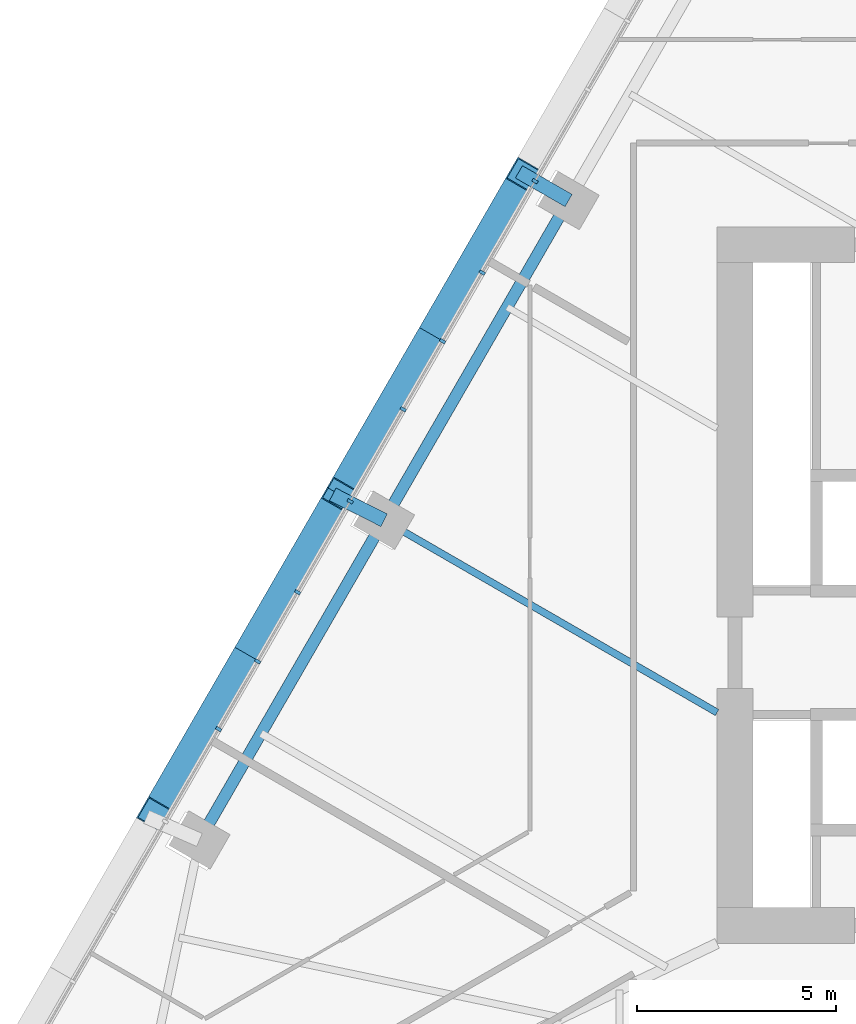
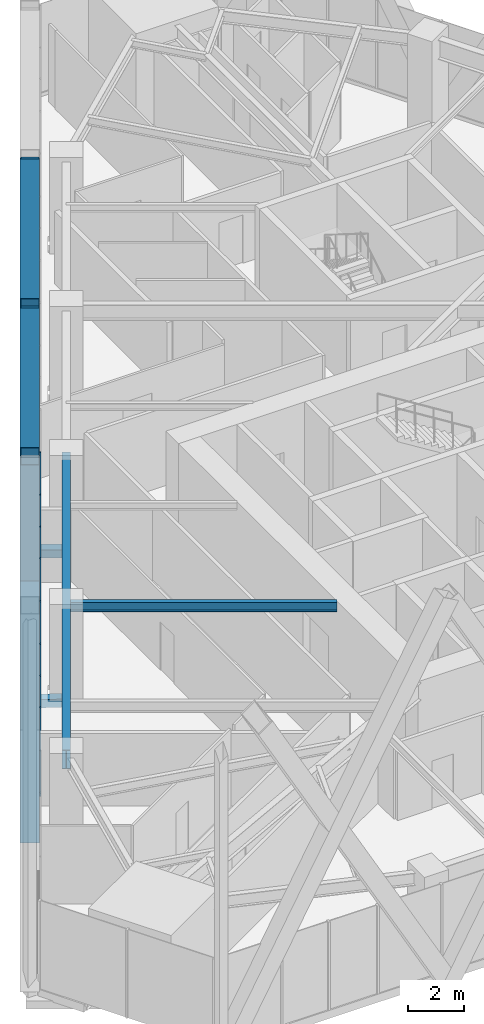
# One storey, part 4 of 19: 14 members, 2 beams, 1 element without a shape of its own.
"""IFC4 building model written with IfcOpenShell, lengths in metres."""

import ifcopenshell
import ifcopenshell.guid

model = None  # the IFC model being written
_history = None  # IfcOwnerHistory: only IFC2X3 demands one
_inside = {}  # id of a spatial element -> (the spatial element, [elements in it])
_under = {}  # id of a project, library or spatial element -> (it, [spatial elements below it])
_declared = {}  # id of a project -> (the project, [libraries it declares])
_typed = {}  # id of a type object -> (the type object, [elements of that type])
_made_of = {}  # id of a material, layer set ... -> (it, [elements and type objects made of it])


def new_model(schema):
    """Start an empty IFC model of exactly this schema.

    Asked for "IFC4X3", IfcOpenShell would pick the latest addendum, in which some entities
    have other attributes; the version numbers below select the first issue.
    IFC2X3 requires an IfcOwnerHistory on every rooted entity: one is made here for all.
    """
    global model, _history
    if schema == "IFC4X3":
        model = ifcopenshell.file(schema_version=(4, 3, 0, 0))
    else:
        model = ifcopenshell.file(schema=schema)
    _inside.clear()
    _under.clear()
    _declared.clear()
    _typed.clear()
    _made_of.clear()
    _history = None
    if model.schema == "IFC2X3":
        org = make("IfcOrganization", Name="unknown")
        user = make(
            "IfcPersonAndOrganization",
            ThePerson=make("IfcPerson", FamilyName="unknown"),
            TheOrganization=org,
        )
        app = make(
            "IfcApplication",
            ApplicationDeveloper=org,
            Version="unknown",
            ApplicationFullName="unknown",
            ApplicationIdentifier="unknown",
        )
        _history = make(
            "IfcOwnerHistory",
            OwningUser=user,
            OwningApplication=app,
            ChangeAction="ADDED",
            CreationDate=0,
        )
    return model


def make(cls, **values):
    """One entity of the class cls with the attributes given. An attribute that is None is left unset."""
    return model.create_entity(
        cls, **{name: value for name, value in values.items() if value is not None}
    )


def rooted(cls, **values):
    """An entity with a GlobalId (a new one), such as an element, a storey or a relation."""
    return make(cls, GlobalId=ifcopenshell.guid.new(), OwnerHistory=_history, **values)


def si_unit(unit_type, name, prefix=None):
    """IfcSIUnit, for example si_unit("LENGTHUNIT", "METRE", prefix="MILLI")."""
    return make("IfcSIUnit", UnitType=unit_type, Prefix=prefix, Name=name)


def assignment(units):
    """IfcUnitAssignment: the units of a project."""
    return None if units is None else make("IfcUnitAssignment", Units=units)


def point(xyz):
    """IfcCartesianPoint."""
    return None if xyz is None else make("IfcCartesianPoint", Coordinates=xyz)


def direction(xyz):
    """IfcDirection."""
    return None if xyz is None else make("IfcDirection", DirectionRatios=xyz)


def frame(location, z_axis=None, x_axis=None):
    """IfcAxis2Placement3D, a coordinate frame: its origin and axes. An axis left out is left unset."""
    return make(
        "IfcAxis2Placement3D",
        Location=point(location),
        Axis=direction(z_axis),
        RefDirection=direction(x_axis),
    )


def frame_2d(location, x_axis=None):
    """IfcAxis2Placement2D, a coordinate frame in the plane: its origin and x axis."""
    return make(
        "IfcAxis2Placement2D", Location=point(location), RefDirection=direction(x_axis)
    )


def origin():
    """The frame at (0, 0, 0) with its axes left unset."""
    return frame((0.0, 0.0, 0.0))


def origin_2d():
    """The frame at (0, 0) in the plane with its x axis left unset."""
    return frame_2d((0.0, 0.0))


def place(relative_to, where):
    """IfcLocalPlacement: puts the frame where relative to a parent placement (None: the world)."""
    return make(
        "IfcLocalPlacement", PlacementRelTo=relative_to, RelativePlacement=where
    )


def context(
    kind, dimensions, precision=None, world=None, true_north=None, identifier=None
):
    """IfcGeometricRepresentationContext, for example the 3D "Model" context."""
    return make(
        "IfcGeometricRepresentationContext",
        ContextIdentifier=identifier,
        ContextType=kind,
        CoordinateSpaceDimension=dimensions,
        Precision=precision,
        WorldCoordinateSystem=world,
        TrueNorth=true_north,
    )


def subcontext(parent, identifier, kind, view, scale=None):
    """IfcGeometricRepresentationSubContext, for example "Body" below "Model"."""
    return make(
        "IfcGeometricRepresentationSubContext",
        ContextIdentifier=identifier,
        ContextType=kind,
        ParentContext=parent,
        TargetScale=scale,
        TargetView=view,
    )


def project(units=None, contexts=None):
    """IfcProject with its units and contexts."""
    return rooted(
        "IfcProject",
        Name="project",
        RepresentationContexts=contexts,
        UnitsInContext=assignment(units),
    )


def spatial(cls, under=None, at=None, **own):
    """A site, building, storey or space (cls), placed at a placement, below another one or the project."""
    s = rooted(cls, ObjectPlacement=at, **own)
    if under is not None:
        _under.setdefault(under.id(), (under, []))[1].append(s)
    return s


def profile(cls, at=None, kind="AREA", **sizes):
    """A parametric profile (cls). Its sizes go by their IFC names, for example OverallWidth=200.0."""
    return make(cls, ProfileType=kind, Position=at, **sizes)


def rectangle(**sizes):
    """IfcRectangleProfileDef."""
    return profile("IfcRectangleProfileDef", **sizes)


def hollow_rectangle(**sizes):
    """IfcRectangleHollowProfileDef."""
    return profile("IfcRectangleHollowProfileDef", **sizes)


def i_section(**sizes):
    """IfcIShapeProfileDef."""
    return profile("IfcIShapeProfileDef", **sizes)


def extrude(swept, where, along, depth):
    """IfcExtrudedAreaSolid: the profile swept, set in the frame where, extruded along a direction by depth."""
    return make(
        "IfcExtrudedAreaSolid",
        SweptArea=swept,
        Position=where,
        ExtrudedDirection=direction(along),
        Depth=depth,
    )


def shape(context_of_items, identifier, shape_type, items):
    """IfcShapeRepresentation: the items that make up one representation, for example the "Body"."""
    return make(
        "IfcShapeRepresentation",
        ContextOfItems=context_of_items,
        RepresentationIdentifier=identifier,
        RepresentationType=shape_type,
        Items=items,
    )


def material(Name=None, Category=None):
    """IfcMaterial."""
    return make("IfcMaterial", Name=Name, Category=Category)


def layer(
    of_material, thickness, ventilated=None, Name=None, Category=None, Priority=None
):
    """IfcMaterialLayer: one layer of a wall or slab, of a material (None: an air gap)."""
    return make(
        "IfcMaterialLayer",
        Material=of_material,
        LayerThickness=thickness,
        IsVentilated=ventilated,
        Name=Name,
        Category=Category,
        Priority=Priority,
    )


def layer_set(layers, Name=None):
    """IfcMaterialLayerSet."""
    return make("IfcMaterialLayerSet", MaterialLayers=layers, LayerSetName=Name)


def material_profile(
    of_material, cross_section, Name=None, Category=None, Priority=None
):
    """IfcMaterialProfile: a cross section and its material."""
    return make(
        "IfcMaterialProfile",
        Name=Name,
        Material=of_material,
        Profile=cross_section,
        Priority=Priority,
        Category=Category,
    )


def profile_set(profiles, Name=None, composite=None):
    """IfcMaterialProfileSet."""
    return make(
        "IfcMaterialProfileSet",
        Name=Name,
        MaterialProfiles=profiles,
        CompositeProfile=composite,
    )


def made_of(thing, what):
    """Note that an element or type object is made of a material, layer set ...; save() writes the relation."""
    if what is not None:
        _made_of.setdefault(what.id(), (what, []))[1].append(thing)
    return thing


def type_object(cls, material=None, **own):
    """A type object (cls), such as IfcWallType, which elements share."""
    return made_of(rooted(cls, **own), material)


def element(
    cls,
    number,
    at=None,
    inside=None,
    cuts=None,
    type_object=None,
    material=None,
    context=None,
    identifier="Body",
    shape_type=None,
    held_by="IfcProductDefinitionShape",
    body=None,
    shapes=None,
    **own,
):
    """One element of the class cls, such as IfcWall. Its Tag is "e" and its number.

    at: its placement. inside: the storey or other place that contains it. cuts: it is an
    opening in that element (IfcRelVoidsElement). A single representation is given by context,
    identifier, shape_type and body (its items); several are given by shapes. held_by: the class
    of the entity that holds the representations. save() writes the other relations.
    """
    e = rooted(cls, Tag="e%d" % number, ObjectPlacement=at, **own)
    if body is not None:
        shapes = [shape(context, identifier, shape_type, body)]
    if shapes is not None:
        e.Representation = make(held_by, Representations=shapes)
    if inside is not None:
        _inside.setdefault(inside.id(), (inside, []))[1].append(e)
    if cuts is not None:
        rooted(
            "IfcRelVoidsElement", RelatingBuildingElement=cuts, RelatedOpeningElement=e
        )
    if type_object is not None:
        _typed.setdefault(type_object.id(), (type_object, []))[1].append(e)
    return made_of(e, material)


def aggregate(whole, parts):
    """IfcRelAggregates: a whole, such as a stair, and the parts it consists of."""
    return rooted("IfcRelAggregates", RelatingObject=whole, RelatedObjects=parts)


def save(model, path):
    """Write the relations noted so far, then the file.

    IfcRelAggregates (storeys below a building ...), IfcRelContainedInSpatialStructure (elements
    in a storey), IfcRelDefinesByType, IfcRelAssociatesMaterial and IfcRelDeclares: one each for
    every whole, place, type object, material and project.
    """
    for whole, parts in _under.values():
        aggregate(whole, parts)
    for where, things in _inside.values():
        rooted(
            "IfcRelContainedInSpatialStructure",
            RelatedElements=things,
            RelatingStructure=where,
        )
    for kind, things in _typed.values():
        rooted("IfcRelDefinesByType", RelatedObjects=things, RelatingType=kind)
    for what, things in _made_of.values():
        rooted("IfcRelAssociatesMaterial", RelatedObjects=things, RelatingMaterial=what)
    for by, libraries in _declared.values():
        rooted("IfcRelDeclares", RelatingContext=by, RelatedDefinitions=libraries)
    model.write(path)


model = new_model("IFC4")

# Units and contexts
model_context = context("Model", 3, precision=1e-05, world=origin(), true_north=direction((0.0, 1.0)))
body_context = subcontext(model_context, "Body", "Model", "MODEL_VIEW")
ifc_project = project(units=[si_unit("LENGTHUNIT", "METRE"), si_unit("AREAUNIT", "SQUARE_METRE"), si_unit("VOLUMEUNIT", "CUBIC_METRE"), si_unit("PLANEANGLEUNIT", "RADIAN"), si_unit("MASSUNIT", "GRAM", prefix="KILO")], contexts=[model_context])

# Site, building, storey
site_placement = place(None, origin())
site = spatial("IfcSite", under=ifc_project, at=site_placement, CompositionType="ELEMENT")
building_placement = place(site_placement, origin())
building = spatial("IfcBuilding", under=site, at=building_placement, Name="Firuza Gate Tower and Library", CompositionType="ELEMENT")
storey_placement = place(building_placement, frame((0.0, 0.0, 124.0)))
storey = spatial("IfcBuildingStorey", under=building, at=storey_placement, Name="L28", CompositionType="ELEMENT", Elevation=124.0)

# Members
ifc_material_1 = material(Name="Steel S355", Category="steel")
ifc_material_profile_1 = material_profile(ifc_material_1, hollow_rectangle(XDim=0.699951171875, YDim=0.699951171875, WallThickness=0.030029296875, at=origin_2d()))
ifc_profile_set_1 = profile_set([ifc_material_profile_1], Name="Steel S355")
member_type_1 = type_object("IfcMemberType", Name="BU700x700x30 Lattice brace", PredefinedType="BRACE", material=ifc_profile_set_1)
for number, where, z_axis, x_axis, name in (
    (1, (57.145263671875, 85.30859375, 0.0), (-0.241608783829, -0.418470484936, 0.875504225469), (0.866021159116, -0.500007351908, 0.0), "Lattice brace W 6.4R"),
    (2, (52.509033203125, 77.278564453125, 0.0), (0.241608783829, 0.418470484936, 0.875504225469), (-0.866021159116, 0.500007351908, 0.0), "Lattice brace W 6.4L"),
    (3, (52.509033203125, 77.278564453125, 0.0), (-0.241608783829, -0.418470484936, 0.875504225469), (0.866021159116, -0.500007351908, 0.0), "Lattice brace W 6.5R"),
    (4, (47.872802734375, 69.24853515625, 0.0), (0.241608783829, 0.418470484936, 0.875504225469), (-0.866021159116, 0.500007351908, 0.0), "Lattice brace W 6.5L"),
):
    element("IfcMember", number, at=place(storey_placement, frame(where, z_axis=z_axis, x_axis=x_axis)), inside=storey, type_object=member_type_1, Name=name, PredefinedType="BRACE", context=body_context, shape_type="SweptSolid", body=[
        extrude(hollow_rectangle(XDim=0.699951171875, YDim=0.699951171875, WallThickness=0.030029296875, at=origin_2d()), origin(), (0.0, 0.0, 1.0), 19.18896484375),
    ])

# Curtain wall, members
ifc_material_2 = material(Name="Aluminium 6063-T6", Category="aluminium")
ifc_layer = layer(ifc_material_2, 0.14990234375)
ifc_layer_set = layer_set([ifc_layer], Name="Unitised curtain wall, offices")
curtain_wall_type = type_object("IfcCurtainWallType", Name="Unitised curtain wall, offices", PredefinedType="NOTDEFINED", material=ifc_layer_set)
curtain_wall_placement = place(storey_placement, origin())
curtain_wall = element("IfcCurtainWall", 5, at=curtain_wall_placement, inside=storey, type_object=curtain_wall_type, Name="CW1 L28 W face", PredefinedType="NOTDEFINED")
ifc_material_3 = material(Name="Aluminium 6063-T6", Category="aluminium")
ifc_material_profile_2 = material_profile(ifc_material_3, rectangle(XDim=0.14990234375, YDim=0.080078125, at=origin_2d()))
ifc_profile_set_2 = profile_set([ifc_material_profile_2], Name="Aluminium 6063-T6")
member_type_2 = type_object("IfcMemberType", Name="Curtain wall mullion 80x150", PredefinedType="MULLION", material=ifc_profile_set_2)
member_1_placement = place(storey_placement, frame((57.426513671875, 85.14599609375, 0.14990234375), z_axis=(0.0, 0.0, 1.0), x_axis=(0.866025403784, -0.5, 0.0)))
member_1 = element("IfcMember", 6, at=member_1_placement, type_object=member_type_2, Name="Mullion", PredefinedType="MULLION", context=body_context, shape_type="SweptSolid", body=[
    extrude(rectangle(XDim=0.14990234375, YDim=0.080078125, at=origin_2d()), origin(), (0.0, 0.0, 1.0), 3.85009765625),
])
member_2_placement = place(storey_placement, frame((55.10498046875, 81.124755859375, 0.14990234375), z_axis=(0.0, 0.0, 1.0), x_axis=(0.866025403784, -0.5, 0.0)))
member_2 = element("IfcMember", 7, at=member_2_placement, type_object=member_type_2, Name="Mullion", PredefinedType="MULLION", context=body_context, shape_type="SweptSolid", body=[
    extrude(rectangle(XDim=0.14990234375, YDim=0.080078125, at=origin_2d()), origin(), (0.0, 0.0, 1.0), 3.85009765625),
])
member_3_placement = place(storey_placement, frame((52.783203125, 77.103515625, 0.14990234375), z_axis=(0.0, 0.0, 1.0), x_axis=(0.866025403784, -0.5, 0.0)))
member_3 = element("IfcMember", 8, at=member_3_placement, type_object=member_type_2, Name="Mullion", PredefinedType="MULLION", context=body_context, shape_type="SweptSolid", body=[
    extrude(rectangle(XDim=0.14990234375, YDim=0.080078125, at=origin_2d()), origin(), (0.0, 0.0, 1.0), 3.85009765625),
])
member_4_placement = place(storey_placement, frame((50.461669921875, 73.082275390625, 0.14990234375), z_axis=(0.0, 0.0, 1.0), x_axis=(0.866025403784, -0.5, 0.0)))
member_4 = element("IfcMember", 9, at=member_4_placement, type_object=member_type_2, Name="Mullion", PredefinedType="MULLION", context=body_context, shape_type="SweptSolid", body=[
    extrude(rectangle(XDim=0.14990234375, YDim=0.080078125, at=origin_2d()), origin(), (0.0, 0.0, 1.0), 3.85009765625),
])
member_5_placement = place(storey_placement, frame((56.100341796875, 82.848876953125, 0.14990234375), z_axis=(0.0, 0.0, 1.0), x_axis=(0.866025403784, -0.5, 0.0)))
member_5 = element("IfcMember", 10, at=member_5_placement, type_object=member_type_2, Name="Mullion", PredefinedType="MULLION", context=body_context, shape_type="SweptSolid", body=[
    extrude(rectangle(XDim=0.14990234375, YDim=0.080078125, at=origin_2d()), origin(), (0.0, 0.0, 1.0), 3.85009765625),
])
member_6_placement = place(storey_placement, frame((54.11669921875, 79.4130859375, 0.14990234375), z_axis=(0.0, 0.0, 1.0), x_axis=(0.866025403784, -0.5, 0.0)))
member_6 = element("IfcMember", 11, at=member_6_placement, type_object=member_type_2, Name="Mullion", PredefinedType="MULLION", context=body_context, shape_type="SweptSolid", body=[
    extrude(rectangle(XDim=0.14990234375, YDim=0.080078125, at=origin_2d()), origin(), (0.0, 0.0, 1.0), 3.85009765625),
])
member_7_placement = place(storey_placement, frame((51.46435546875, 74.81884765625, 0.14990234375), z_axis=(0.0, 0.0, 1.0), x_axis=(0.866025403784, -0.5, 0.0)))
member_7 = element("IfcMember", 12, at=member_7_placement, type_object=member_type_2, Name="Mullion", PredefinedType="MULLION", context=body_context, shape_type="SweptSolid", body=[
    extrude(rectangle(XDim=0.14990234375, YDim=0.080078125, at=origin_2d()), origin(), (0.0, 0.0, 1.0), 3.85009765625),
])
member_8_placement = place(storey_placement, frame((49.48046875, 71.383056640625, 0.14990234375), z_axis=(0.0, 0.0, 1.0), x_axis=(0.866025403784, -0.5, 0.0)))
member_8 = element("IfcMember", 13, at=member_8_placement, type_object=member_type_2, Name="Mullion", PredefinedType="MULLION", context=body_context, shape_type="SweptSolid", body=[
    extrude(rectangle(XDim=0.14990234375, YDim=0.080078125, at=origin_2d()), origin(), (0.0, 0.0, 1.0), 3.85009765625),
])
aggregate(curtain_wall, [member_1, member_2, member_3, member_4, member_5, member_6, member_7, member_8])

# Members
ifc_material_4 = material(Name="Steel S355", Category="steel")
ifc_material_profile_3 = material_profile(ifc_material_4, hollow_rectangle(XDim=0.355712890625, YDim=0.355712890625, WallThickness=0.014892578125, at=origin_2d()))
ifc_profile_set_3 = profile_set([ifc_material_profile_3], Name="Steel S355")
member_type_3 = type_object("IfcMemberType", Name="HSS356x356x16 Lattice node tie", PredefinedType="BRACE", material=ifc_profile_set_3)
member_9_placement = place(storey_placement, frame((53.634765625, 76.62841796875, -0.320068359375), z_axis=(-0.892934581472, 0.450186442723, 0.0), x_axis=(-0.450186442723, -0.892934581472, 0.0)))
element("IfcMember", 14, at=member_9_placement, inside=storey, type_object=member_type_3, Name="Lattice node tie W L28 122", PredefinedType="BRACE", context=body_context, shape_type="SweptSolid", body=[
    extrude(hollow_rectangle(XDim=0.355712890625, YDim=0.355712890625, WallThickness=0.014892578125, at=origin_2d()), origin(), (0.0, 0.0, 1.0), 1.444091796875),
])
member_10_placement = place(storey_placement, frame((58.27099609375, 84.658447265625, -0.320068359375), z_axis=(-0.866036153491, 0.4999813805, 0.0), x_axis=(-0.4999813805, -0.866036153491, 0.0)))
element("IfcMember", 15, at=member_10_placement, inside=storey, type_object=member_type_3, Name="Lattice node tie W L28 123", PredefinedType="BRACE", context=body_context, shape_type="SweptSolid", body=[
    extrude(hollow_rectangle(XDim=0.355712890625, YDim=0.355712890625, WallThickness=0.014892578125, at=origin_2d()), origin(), (0.0, 0.0, 1.0), 1.44189453125),
])

# Beams
ifc_material_5 = material(Name="Steel S355", Category="steel")
ifc_material_profile_4 = material_profile(ifc_material_5, i_section(OverallWidth=0.177978515625, OverallDepth=0.406982421875, WebThickness=0.0078125, FlangeThickness=0.0126953125, at=origin_2d()))
ifc_profile_set_4 = profile_set([ifc_material_profile_4], Name="Steel S355")
beam_type_1 = type_object("IfcBeamType", Name="W410x60 Floor beam", PredefinedType="JOIST", material=ifc_profile_set_4)
beam_1_placement = place(storey_placement, frame((53.634765625, 76.62841796875, 3.79638671875), z_axis=(0.866029011319, -0.499993751515, 0.0), x_axis=(0.499993751515, 0.866029011319, 0.0)))
element("IfcBeam", 16, at=beam_1_placement, inside=storey, type_object=beam_type_1, Name="Floor beam L28 s84", PredefinedType="JOIST", context=body_context, shape_type="SweptSolid", body=[
    extrude(i_section(OverallWidth=0.177978515625, OverallDepth=0.406982421875, WebThickness=0.0078125, FlangeThickness=0.0126953125, at=origin_2d()), origin(), (0.0, 0.0, 1.0), 9.6591796875),
])
ifc_material_6 = material(Name="Steel S355", Category="steel")
ifc_material_profile_5 = material_profile(ifc_material_6, i_section(OverallWidth=0.2919921875, OverallDepth=0.8349609375, WebThickness=0.013916015625, FlangeThickness=0.018798828125, at=origin_2d()))
ifc_profile_set_5 = profile_set([ifc_material_profile_5], Name="Steel S355")
beam_type_2 = type_object("IfcBeamType", Name="W840x176 Edge beam", PredefinedType="SPANDREL", material=ifc_profile_set_5)
beam_2_placement = place(storey_placement, frame((58.27099609375, 84.658447265625, 3.58251953125), z_axis=(-0.499997478145, -0.866026859773, 0.0), x_axis=(0.866026859773, -0.499997478145, 0.0)))
element("IfcBeam", 17, at=beam_2_placement, inside=storey, type_object=beam_type_2, Name="Edge beam L28 e82", PredefinedType="SPANDREL", context=body_context, shape_type="SweptSolid", body=[
    extrude(i_section(OverallWidth=0.2919921875, OverallDepth=0.8349609375, WebThickness=0.013916015625, FlangeThickness=0.018798828125, at=origin_2d()), origin(), (0.0, 0.0, 1.0), 18.54443359375),
])

save(model, "model.ifc")
